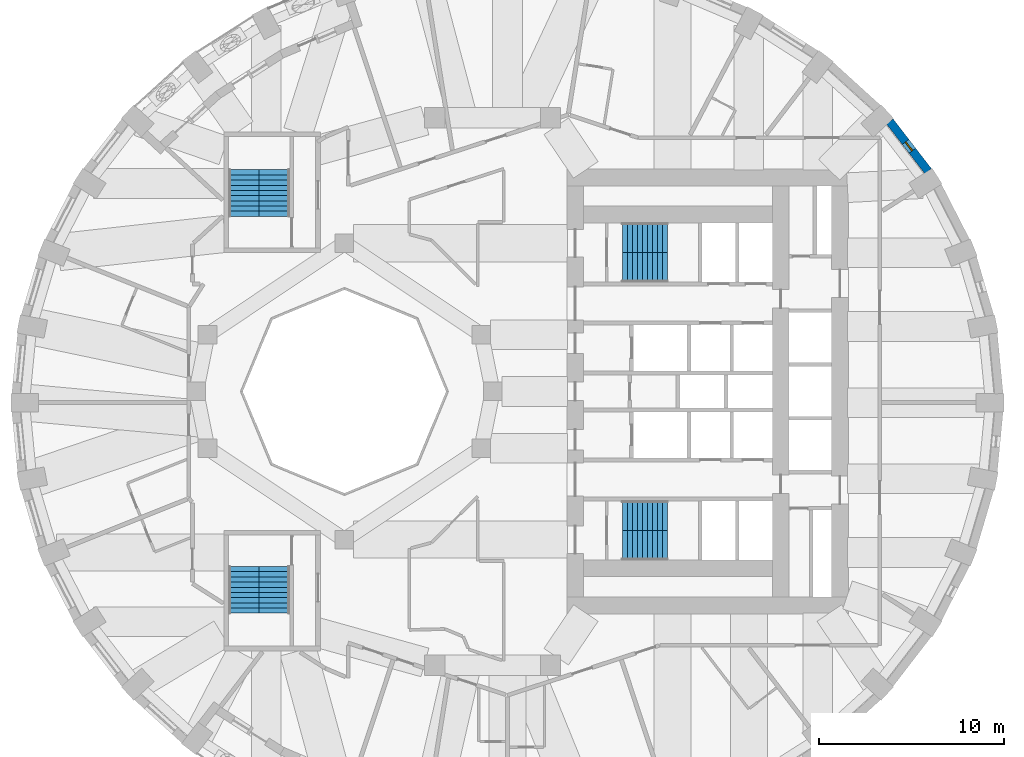
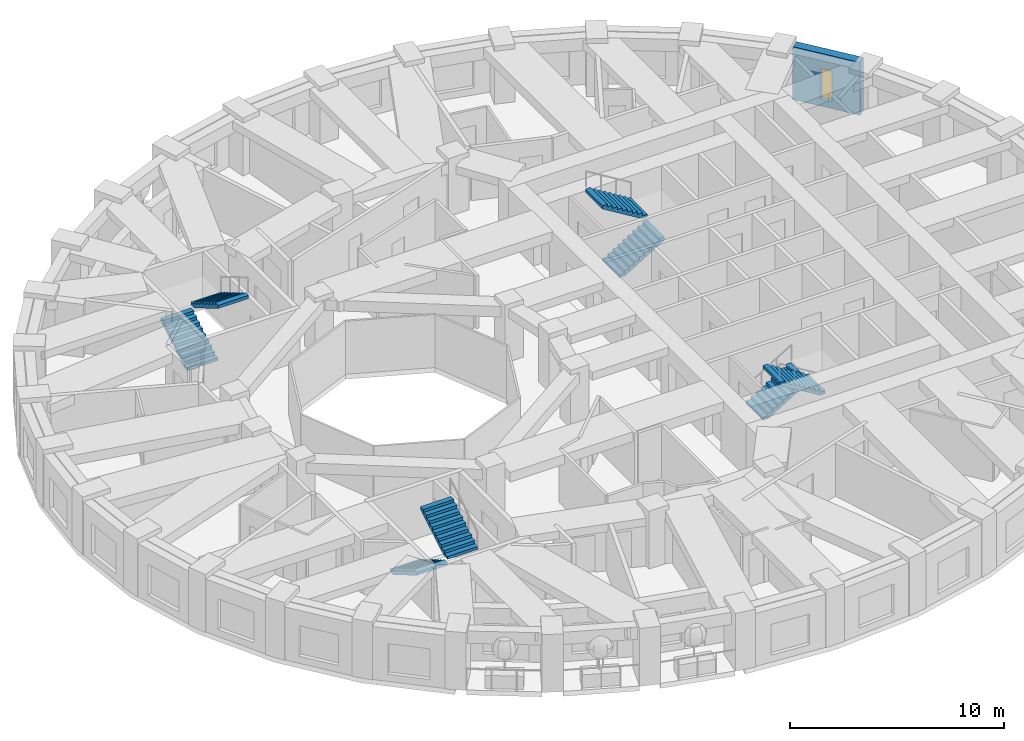
# One storey, part 9 of 12: 8 stair flights, 1 wall, 1 window, 1 opening, 4 elements without a shape of their own.
"""IFC4 building model written with IfcOpenShell, lengths in metres."""

from ifc_helpers import new_model, si_unit, direction, frame, frame_2d, origin, place, context, subcontext, project, spatial, polyline, rectangle, outline, extrude, material, layer, layer_set, type_object, element, fill, aggregate, save


model = new_model("IFC4")

# Units and contexts
model_context = context("Model", 3, precision=1e-05, world=origin(), true_north=direction((0.0, 1.0)))
body_context = subcontext(model_context, "Body", "Model", "MODEL_VIEW")
ifc_project = project(units=[si_unit("LENGTHUNIT", "METRE"), si_unit("AREAUNIT", "SQUARE_METRE"), si_unit("VOLUMEUNIT", "CUBIC_METRE"), si_unit("PLANEANGLEUNIT", "RADIAN"), si_unit("MASSUNIT", "GRAM", prefix="KILO")], contexts=[model_context])

# Site, building, storey
site_placement = place(None, origin())
site = spatial("IfcSite", under=ifc_project, at=site_placement, CompositionType="ELEMENT")
building_placement = place(site_placement, origin())
building = spatial("IfcBuilding", under=site, at=building_placement, Name="Taillehof Tower", CompositionType="ELEMENT")
storey_placement = place(building_placement, frame((0.0, 0.0, 125.199951171875)))
storey = spatial("IfcBuildingStorey", under=building, at=storey_placement, Name="L35", CompositionType="ELEMENT", Elevation=125.199951171875)

# Wall, opening, window
ifc_material_1 = material(Name="Brick masonry", Category="masonry")
ifc_layer = layer(ifc_material_1, 0.449951171875)
ifc_layer_set = layer_set([ifc_layer], Name="Brick infill wall 450")
wall_type = type_object("IfcWallType", Name="Brick infill wall 450", PredefinedType="SOLIDWALL", material=ifc_layer_set)
wall_placement = place(storey_placement, frame((23.508056640625, 11.887451171875, 0.0), z_axis=(0.0, 0.0, 1.0), x_axis=(-0.610693945156, 0.791866721961, 0.0)))
wall = element("IfcWall", 1, at=wall_placement, inside=storey, type_object=wall_type, Name="Brick wall L35 bay 4", PredefinedType="SOLIDWALL", context=body_context, shape_type="SweptSolid", body=[
    extrude(rectangle(XDim=3.39453125, YDim=0.449951171875, at=frame_2d((1.697265625, 0.0))), origin(), (0.0, 0.0, 1.0), 3.02001953125),
])
opening_placement = place(wall_placement, frame((1.397216796875, 0.0, 0.39990234375)))
opening = element("IfcOpeningElement", 2, at=opening_placement, cuts=wall, Name="Opening W6", PredefinedType="OPENING", context=body_context, shape_type="SweptSolid", body=[
    extrude(rectangle(XDim=0.60009765625, YDim=1.75, at=frame_2d((0.300048828125, 0.875))), frame((0.0, 0.23486328125, 0.0), z_axis=(0.0, -1.0, 0.0), x_axis=(1.0, 0.0, 0.0)), (0.0, 0.0, 1.0), 0.469970703125),
])
ifc_material_2 = material(Name="Aluminium window frame with clear double glazing", Category="aluminium")
window_type = type_object("IfcWindowType", Name="Slot window 600x1750", PartitioningType="SINGLE_PANEL", PredefinedType="WINDOW", material=ifc_material_2)
window_placement = place(opening_placement, origin())
window = element("IfcWindow", 3, at=window_placement, inside=storey, type_object=window_type, Name="W6", OverallHeight=1.75, OverallWidth=0.60009765625, PartitioningType="SINGLE_PANEL", PredefinedType="WINDOW", context=body_context, shape_type="SweptSolid", body=[
    extrude(rectangle(XDim=0.60009765625, YDim=1.75, at=frame_2d((0.300048828125, 0.875))), frame((0.0, 0.034912109375, 0.0), z_axis=(0.0, -1.0, 0.0), x_axis=(1.0, 0.0, 0.0)), (0.0, 0.0, 1.0), 0.06005859375),
])
fill(opening, window)

# Stair, stair flights
ifc_material_3 = material(Name="Concrete C40/50", Category="concrete")
stair_type = type_object("IfcStairType", Name="Exit stair half-turn", PredefinedType="HALF_TURN_STAIR", material=ifc_material_3)
stair_1_placement = place(storey_placement, origin())
stair_1 = element("IfcStair", 4, at=stair_1_placement, inside=storey, type_object=stair_type, Name="Exit stair S1", PredefinedType="HALF_TURN_STAIR")
ifc_material_4 = material(Name="Concrete C40/50", Category="concrete")
stair_flight_type_1 = type_object("IfcStairFlightType", Name="Stair flight 1600 riser 165.0 going 270", PredefinedType="STRAIGHT", material=ifc_material_4)
stair_flight_1_placement = place(storey_placement, frame((7.0, 6.699951171875, 0.0), z_axis=(0.0, 0.0, 1.0), x_axis=(1.0, 0.0, 0.0)))
stair_flight_1 = element("IfcStairFlight", 5, at=stair_flight_1_placement, type_object=stair_flight_type_1, Name="S1 flight 1", NumberOfRisers=10, NumberOfTreads=9, PredefinedType="STRAIGHT", RiserHeight=0.165, TreadLength=0.27, context=body_context, shape_type="SweptSolid", body=[
    extrude(outline(polyline([(0.0, 0.0), (0.0, 0.00537109375), (0.0, 0.0107421875), (0.0, 0.015869140625), (0.0, 0.021240234375), (0.0, 0.026611328125), (0.0, 0.031982421875), (0.0, 0.037353515625), (0.0, 0.04248046875), (0.0, 0.0478515625), (0.0, 0.05322265625), (0.0, 0.05859375), (0.0, 0.06396484375), (0.0, 0.069091796875), (0.0, 0.074462890625), (0.0, 0.079833984375), (0.0, 0.085205078125), (0.0, 0.090576171875), (0.0, 0.095703125), (0.0, 0.10107421875), (0.0, 0.1064453125), (0.0, 0.11181640625), (0.0, 0.1171875), (0.0, 0.122314453125), (0.0, 0.127685546875), (0.0, 0.133056640625), (0.0, 0.138427734375), (0.0, 0.143798828125), (0.0, 0.14892578125), (0.0, 0.154296875), (0.0, 0.15966796875), (0.0, 0.1650390625), (0.27001953125, 0.1650390625), (0.27001953125, 0.330078125), (0.5400390625, 0.330078125), (0.5400390625, 0.4951171875), (0.81005859375, 0.4951171875), (0.81005859375, 0.659912109375), (1.080078125, 0.659912109375), (1.080078125, 0.824951171875), (1.35009765625, 0.824951171875), (1.35009765625, 0.989990234375), (1.6201171875, 0.989990234375), (1.6201171875, 1.155029296875), (1.889892578125, 1.155029296875), (1.889892578125, 1.320068359375), (2.159912109375, 1.320068359375), (2.159912109375, 1.485107421875), (2.429931640625, 1.485107421875), (2.429931640625, 1.479248046875), (2.429931640625, 1.4736328125), (2.429931640625, 1.468017578125), (2.429931640625, 1.46240234375), (2.429931640625, 1.45654296875), (2.429931640625, 1.450927734375), (2.429931640625, 1.4453125), (2.429931640625, 1.439697265625), (2.429931640625, 1.43408203125), (2.429931640625, 1.42822265625), (2.429931640625, 1.422607421875), (2.429931640625, 1.4169921875), (2.429931640625, 1.411376953125), (2.429931640625, 1.40576171875), (2.429931640625, 1.39990234375), (2.429931640625, 1.394287109375), (2.429931640625, 1.388671875), (2.429931640625, 1.383056640625), (2.429931640625, 1.37744140625), (2.429931640625, 1.37158203125), (2.429931640625, 1.365966796875), (2.429931640625, 1.3603515625), (2.429931640625, 1.354736328125), (2.429931640625, 1.348876953125), (2.429931640625, 1.34326171875), (2.429931640625, 1.337646484375), (2.429931640625, 1.33203125), (2.429931640625, 1.326416015625), (2.429931640625, 1.320556640625), (2.429931640625, 1.31494140625), (2.429931640625, 1.309326171875), (0.287353515625, 0.0), (0.0, 0.0)])), frame((0.0, 0.800048828125, 0.0), z_axis=(0.0, -1.0, 0.0), x_axis=(1.0, 0.0, 0.0)), (0.0, 0.0, 1.0), 1.6),
])
stair_flight_2_placement = place(storey_placement, frame((9.429931640625, 8.300048828125, 1.650146484375), z_axis=(0.0, 0.0, 1.0), x_axis=(-1.0, 0.0, 0.0)))
stair_flight_2 = element("IfcStairFlight", 6, at=stair_flight_2_placement, type_object=stair_flight_type_1, Name="S1 flight 2", NumberOfRisers=10, NumberOfTreads=9, PredefinedType="STRAIGHT", RiserHeight=0.165, TreadLength=0.27, context=body_context, shape_type="SweptSolid", body=[
    extrude(outline(polyline([(0.0, 0.0), (0.0, 0.00537109375), (0.0, 0.0107421875), (0.0, 0.015869140625), (0.0, 0.021240234375), (0.0, 0.026611328125), (0.0, 0.031982421875), (0.0, 0.037353515625), (0.0, 0.04248046875), (0.0, 0.0478515625), (0.0, 0.05322265625), (0.0, 0.05859375), (0.0, 0.06396484375), (0.0, 0.069091796875), (0.0, 0.074462890625), (0.0, 0.079833984375), (0.0, 0.085205078125), (0.0, 0.090576171875), (0.0, 0.095703125), (0.0, 0.10107421875), (0.0, 0.1064453125), (0.0, 0.11181640625), (0.0, 0.1171875), (0.0, 0.122314453125), (0.0, 0.127685546875), (0.0, 0.133056640625), (0.0, 0.138427734375), (0.0, 0.143798828125), (0.0, 0.14892578125), (0.0, 0.154296875), (0.0, 0.15966796875), (0.0, 0.1650390625), (0.27001953125, 0.1650390625), (0.27001953125, 0.330078125), (0.5400390625, 0.330078125), (0.5400390625, 0.4951171875), (0.81005859375, 0.4951171875), (0.81005859375, 0.659912109375), (1.080078125, 0.659912109375), (1.080078125, 0.824951171875), (1.35009765625, 0.824951171875), (1.35009765625, 0.989990234375), (1.6201171875, 0.989990234375), (1.6201171875, 1.155029296875), (1.889892578125, 1.155029296875), (1.889892578125, 1.320068359375), (2.159912109375, 1.320068359375), (2.159912109375, 1.485107421875), (2.429931640625, 1.485107421875), (2.429931640625, 1.479248046875), (2.429931640625, 1.4736328125), (2.429931640625, 1.468017578125), (2.429931640625, 1.46240234375), (2.429931640625, 1.45654296875), (2.429931640625, 1.450927734375), (2.429931640625, 1.4453125), (2.429931640625, 1.439697265625), (2.429931640625, 1.43408203125), (2.429931640625, 1.42822265625), (2.429931640625, 1.422607421875), (2.429931640625, 1.4169921875), (2.429931640625, 1.411376953125), (2.429931640625, 1.40576171875), (2.429931640625, 1.39990234375), (2.429931640625, 1.394287109375), (2.429931640625, 1.388671875), (2.429931640625, 1.383056640625), (2.429931640625, 1.37744140625), (2.429931640625, 1.37158203125), (2.429931640625, 1.365966796875), (2.429931640625, 1.3603515625), (2.429931640625, 1.354736328125), (2.429931640625, 1.348876953125), (2.429931640625, 1.34326171875), (2.429931640625, 1.337646484375), (2.429931640625, 1.33203125), (2.429931640625, 1.326416015625), (2.429931640625, 1.320556640625), (2.429931640625, 1.31494140625), (2.429931640625, 1.309326171875), (0.287353515625, 0.0), (0.0, 0.0)])), frame((0.0, 0.800048828125, 0.0), z_axis=(0.0, -1.0, 0.0), x_axis=(1.0, 0.0, 0.0)), (0.0, 0.0, 1.0), 1.6),
])
aggregate(stair_1, [stair_flight_1, stair_flight_2])

stair_2_placement = place(storey_placement, origin())
stair_2 = element("IfcStair", 7, at=stair_2_placement, inside=storey, type_object=stair_type, Name="Exit stair S2", PredefinedType="HALF_TURN_STAIR")
stair_flight_3_placement = place(storey_placement, frame((7.0, -6.699951171875, 0.0), z_axis=(0.0, 0.0, 1.0), x_axis=(1.0, 0.0, 0.0)))
stair_flight_3 = element("IfcStairFlight", 8, at=stair_flight_3_placement, type_object=stair_flight_type_1, Name="S2 flight 1", NumberOfRisers=10, NumberOfTreads=9, PredefinedType="STRAIGHT", RiserHeight=0.165, TreadLength=0.27, context=body_context, shape_type="SweptSolid", body=[
    extrude(outline(polyline([(0.0, 0.0), (0.0, 0.00537109375), (0.0, 0.0107421875), (0.0, 0.015869140625), (0.0, 0.021240234375), (0.0, 0.026611328125), (0.0, 0.031982421875), (0.0, 0.037353515625), (0.0, 0.04248046875), (0.0, 0.0478515625), (0.0, 0.05322265625), (0.0, 0.05859375), (0.0, 0.06396484375), (0.0, 0.069091796875), (0.0, 0.074462890625), (0.0, 0.079833984375), (0.0, 0.085205078125), (0.0, 0.090576171875), (0.0, 0.095703125), (0.0, 0.10107421875), (0.0, 0.1064453125), (0.0, 0.11181640625), (0.0, 0.1171875), (0.0, 0.122314453125), (0.0, 0.127685546875), (0.0, 0.133056640625), (0.0, 0.138427734375), (0.0, 0.143798828125), (0.0, 0.14892578125), (0.0, 0.154296875), (0.0, 0.15966796875), (0.0, 0.1650390625), (0.27001953125, 0.1650390625), (0.27001953125, 0.330078125), (0.5400390625, 0.330078125), (0.5400390625, 0.4951171875), (0.81005859375, 0.4951171875), (0.81005859375, 0.659912109375), (1.080078125, 0.659912109375), (1.080078125, 0.824951171875), (1.35009765625, 0.824951171875), (1.35009765625, 0.989990234375), (1.6201171875, 0.989990234375), (1.6201171875, 1.155029296875), (1.889892578125, 1.155029296875), (1.889892578125, 1.320068359375), (2.159912109375, 1.320068359375), (2.159912109375, 1.485107421875), (2.429931640625, 1.485107421875), (2.429931640625, 1.479248046875), (2.429931640625, 1.4736328125), (2.429931640625, 1.468017578125), (2.429931640625, 1.46240234375), (2.429931640625, 1.45654296875), (2.429931640625, 1.450927734375), (2.429931640625, 1.4453125), (2.429931640625, 1.439697265625), (2.429931640625, 1.43408203125), (2.429931640625, 1.42822265625), (2.429931640625, 1.422607421875), (2.429931640625, 1.4169921875), (2.429931640625, 1.411376953125), (2.429931640625, 1.40576171875), (2.429931640625, 1.39990234375), (2.429931640625, 1.394287109375), (2.429931640625, 1.388671875), (2.429931640625, 1.383056640625), (2.429931640625, 1.37744140625), (2.429931640625, 1.37158203125), (2.429931640625, 1.365966796875), (2.429931640625, 1.3603515625), (2.429931640625, 1.354736328125), (2.429931640625, 1.348876953125), (2.429931640625, 1.34326171875), (2.429931640625, 1.337646484375), (2.429931640625, 1.33203125), (2.429931640625, 1.326416015625), (2.429931640625, 1.320556640625), (2.429931640625, 1.31494140625), (2.429931640625, 1.309326171875), (0.287353515625, 0.0), (0.0, 0.0)])), frame((0.0, 0.800048828125, 0.0), z_axis=(0.0, -1.0, 0.0), x_axis=(1.0, 0.0, 0.0)), (0.0, 0.0, 1.0), 1.6),
])
stair_flight_4_placement = place(storey_placement, frame((9.429931640625, -8.300048828125, 1.650146484375), z_axis=(0.0, 0.0, 1.0), x_axis=(-1.0, 0.0, 0.0)))
stair_flight_4 = element("IfcStairFlight", 9, at=stair_flight_4_placement, type_object=stair_flight_type_1, Name="S2 flight 2", NumberOfRisers=10, NumberOfTreads=9, PredefinedType="STRAIGHT", RiserHeight=0.165, TreadLength=0.27, context=body_context, shape_type="SweptSolid", body=[
    extrude(outline(polyline([(0.0, 0.0), (0.0, 0.00537109375), (0.0, 0.0107421875), (0.0, 0.015869140625), (0.0, 0.021240234375), (0.0, 0.026611328125), (0.0, 0.031982421875), (0.0, 0.037353515625), (0.0, 0.04248046875), (0.0, 0.0478515625), (0.0, 0.05322265625), (0.0, 0.05859375), (0.0, 0.06396484375), (0.0, 0.069091796875), (0.0, 0.074462890625), (0.0, 0.079833984375), (0.0, 0.085205078125), (0.0, 0.090576171875), (0.0, 0.095703125), (0.0, 0.10107421875), (0.0, 0.1064453125), (0.0, 0.11181640625), (0.0, 0.1171875), (0.0, 0.122314453125), (0.0, 0.127685546875), (0.0, 0.133056640625), (0.0, 0.138427734375), (0.0, 0.143798828125), (0.0, 0.14892578125), (0.0, 0.154296875), (0.0, 0.15966796875), (0.0, 0.1650390625), (0.27001953125, 0.1650390625), (0.27001953125, 0.330078125), (0.5400390625, 0.330078125), (0.5400390625, 0.4951171875), (0.81005859375, 0.4951171875), (0.81005859375, 0.659912109375), (1.080078125, 0.659912109375), (1.080078125, 0.824951171875), (1.35009765625, 0.824951171875), (1.35009765625, 0.989990234375), (1.6201171875, 0.989990234375), (1.6201171875, 1.155029296875), (1.889892578125, 1.155029296875), (1.889892578125, 1.320068359375), (2.159912109375, 1.320068359375), (2.159912109375, 1.485107421875), (2.429931640625, 1.485107421875), (2.429931640625, 1.479248046875), (2.429931640625, 1.4736328125), (2.429931640625, 1.468017578125), (2.429931640625, 1.46240234375), (2.429931640625, 1.45654296875), (2.429931640625, 1.450927734375), (2.429931640625, 1.4453125), (2.429931640625, 1.439697265625), (2.429931640625, 1.43408203125), (2.429931640625, 1.42822265625), (2.429931640625, 1.422607421875), (2.429931640625, 1.4169921875), (2.429931640625, 1.411376953125), (2.429931640625, 1.40576171875), (2.429931640625, 1.39990234375), (2.429931640625, 1.394287109375), (2.429931640625, 1.388671875), (2.429931640625, 1.383056640625), (2.429931640625, 1.37744140625), (2.429931640625, 1.37158203125), (2.429931640625, 1.365966796875), (2.429931640625, 1.3603515625), (2.429931640625, 1.354736328125), (2.429931640625, 1.348876953125), (2.429931640625, 1.34326171875), (2.429931640625, 1.337646484375), (2.429931640625, 1.33203125), (2.429931640625, 1.326416015625), (2.429931640625, 1.320556640625), (2.429931640625, 1.31494140625), (2.429931640625, 1.309326171875), (0.287353515625, 0.0), (0.0, 0.0)])), frame((0.0, 0.800048828125, 0.0), z_axis=(0.0, -1.0, 0.0), x_axis=(1.0, 0.0, 0.0)), (0.0, 0.0, 1.0), 1.6),
])
aggregate(stair_2, [stair_flight_3, stair_flight_4])

stair_3_placement = place(storey_placement, origin())
stair_3 = element("IfcStair", 10, at=stair_3_placement, inside=storey, type_object=stair_type, Name="Exit stair S3", PredefinedType="HALF_TURN_STAIR")
ifc_material_5 = material(Name="Concrete C40/50", Category="concrete")
stair_flight_type_2 = type_object("IfcStairFlightType", Name="Stair flight 1650 riser 165.0 going 280", PredefinedType="STRAIGHT", material=ifc_material_5)
stair_flight_5_placement = place(storey_placement, frame((-13.425048828125, 9.449951171875, 0.0), z_axis=(0.0, 0.0, 1.0), x_axis=(0.0, 1.0, 0.0)))
stair_flight_5 = element("IfcStairFlight", 11, at=stair_flight_5_placement, type_object=stair_flight_type_2, Name="S3 flight 1", NumberOfRisers=10, NumberOfTreads=9, PredefinedType="STRAIGHT", RiserHeight=0.165, TreadLength=0.28, context=body_context, shape_type="SweptSolid", body=[
    extrude(outline(polyline([(0.0, 0.0), (0.0, 0.00537109375), (0.0, 0.0107421875), (0.0, 0.015869140625), (0.0, 0.021240234375), (0.0, 0.026611328125), (0.0, 0.031982421875), (0.0, 0.037353515625), (0.0, 0.04248046875), (0.0, 0.0478515625), (0.0, 0.05322265625), (0.0, 0.05859375), (0.0, 0.06396484375), (0.0, 0.069091796875), (0.0, 0.074462890625), (0.0, 0.079833984375), (0.0, 0.085205078125), (0.0, 0.090576171875), (0.0, 0.095703125), (0.0, 0.10107421875), (0.0, 0.1064453125), (0.0, 0.11181640625), (0.0, 0.1171875), (0.0, 0.122314453125), (0.0, 0.127685546875), (0.0, 0.133056640625), (0.0, 0.138427734375), (0.0, 0.143798828125), (0.0, 0.14892578125), (0.0, 0.154296875), (0.0, 0.15966796875), (0.0, 0.1650390625), (0.280029296875, 0.1650390625), (0.280029296875, 0.330078125), (0.56005859375, 0.330078125), (0.56005859375, 0.4951171875), (0.840087890625, 0.4951171875), (0.840087890625, 0.659912109375), (1.1201171875, 0.659912109375), (1.1201171875, 0.824951171875), (1.39990234375, 0.824951171875), (1.39990234375, 0.989990234375), (1.679931640625, 0.989990234375), (1.679931640625, 1.155029296875), (1.9599609375, 1.155029296875), (1.9599609375, 1.320068359375), (2.239990234375, 1.320068359375), (2.239990234375, 1.485107421875), (2.52001953125, 1.485107421875), (2.52001953125, 1.4794921875), (2.52001953125, 1.473876953125), (2.52001953125, 1.46826171875), (2.52001953125, 1.462646484375), (2.52001953125, 1.45703125), (2.52001953125, 1.451416015625), (2.52001953125, 1.44580078125), (2.52001953125, 1.440185546875), (2.52001953125, 1.4345703125), (2.52001953125, 1.428955078125), (2.52001953125, 1.42333984375), (2.52001953125, 1.417724609375), (2.52001953125, 1.412109375), (2.52001953125, 1.406494140625), (2.52001953125, 1.40087890625), (2.52001953125, 1.395263671875), (2.52001953125, 1.3896484375), (2.52001953125, 1.384033203125), (2.52001953125, 1.37841796875), (2.52001953125, 1.372802734375), (2.52001953125, 1.3671875), (2.52001953125, 1.361572265625), (2.52001953125, 1.35595703125), (2.52001953125, 1.350341796875), (2.52001953125, 1.3447265625), (2.52001953125, 1.339111328125), (2.52001953125, 1.33349609375), (2.52001953125, 1.327880859375), (2.52001953125, 1.322265625), (2.52001953125, 1.316650390625), (2.52001953125, 1.31103515625), (0.295166015625, 0.0), (0.0, 0.0)])), frame((0.0, 0.824951171875, 0.0), z_axis=(0.0, -1.0, 0.0), x_axis=(1.0, 0.0, 0.0)), (0.0, 0.0, 1.0), 1.65),
])
stair_flight_6_placement = place(storey_placement, frame((-11.77490234375, 11.969970703125, 1.650146484375), z_axis=(0.0, 0.0, 1.0), x_axis=(0.0, -1.0, 0.0)))
stair_flight_6 = element("IfcStairFlight", 12, at=stair_flight_6_placement, type_object=stair_flight_type_2, Name="S3 flight 2", NumberOfRisers=10, NumberOfTreads=9, PredefinedType="STRAIGHT", RiserHeight=0.165, TreadLength=0.28, context=body_context, shape_type="SweptSolid", body=[
    extrude(outline(polyline([(0.0, 0.0), (0.0, 0.00537109375), (0.0, 0.0107421875), (0.0, 0.015869140625), (0.0, 0.021240234375), (0.0, 0.026611328125), (0.0, 0.031982421875), (0.0, 0.037353515625), (0.0, 0.04248046875), (0.0, 0.0478515625), (0.0, 0.05322265625), (0.0, 0.05859375), (0.0, 0.06396484375), (0.0, 0.069091796875), (0.0, 0.074462890625), (0.0, 0.079833984375), (0.0, 0.085205078125), (0.0, 0.090576171875), (0.0, 0.095703125), (0.0, 0.10107421875), (0.0, 0.1064453125), (0.0, 0.11181640625), (0.0, 0.1171875), (0.0, 0.122314453125), (0.0, 0.127685546875), (0.0, 0.133056640625), (0.0, 0.138427734375), (0.0, 0.143798828125), (0.0, 0.14892578125), (0.0, 0.154296875), (0.0, 0.15966796875), (0.0, 0.1650390625), (0.280029296875, 0.1650390625), (0.280029296875, 0.330078125), (0.56005859375, 0.330078125), (0.56005859375, 0.4951171875), (0.840087890625, 0.4951171875), (0.840087890625, 0.659912109375), (1.1201171875, 0.659912109375), (1.1201171875, 0.824951171875), (1.39990234375, 0.824951171875), (1.39990234375, 0.989990234375), (1.679931640625, 0.989990234375), (1.679931640625, 1.155029296875), (1.9599609375, 1.155029296875), (1.9599609375, 1.320068359375), (2.239990234375, 1.320068359375), (2.239990234375, 1.485107421875), (2.52001953125, 1.485107421875), (2.52001953125, 1.4794921875), (2.52001953125, 1.473876953125), (2.52001953125, 1.46826171875), (2.52001953125, 1.462646484375), (2.52001953125, 1.45703125), (2.52001953125, 1.451416015625), (2.52001953125, 1.44580078125), (2.52001953125, 1.440185546875), (2.52001953125, 1.4345703125), (2.52001953125, 1.428955078125), (2.52001953125, 1.42333984375), (2.52001953125, 1.417724609375), (2.52001953125, 1.412109375), (2.52001953125, 1.406494140625), (2.52001953125, 1.40087890625), (2.52001953125, 1.395263671875), (2.52001953125, 1.3896484375), (2.52001953125, 1.384033203125), (2.52001953125, 1.37841796875), (2.52001953125, 1.372802734375), (2.52001953125, 1.3671875), (2.52001953125, 1.361572265625), (2.52001953125, 1.35595703125), (2.52001953125, 1.350341796875), (2.52001953125, 1.3447265625), (2.52001953125, 1.339111328125), (2.52001953125, 1.33349609375), (2.52001953125, 1.327880859375), (2.52001953125, 1.322265625), (2.52001953125, 1.316650390625), (2.52001953125, 1.31103515625), (0.295166015625, 0.0), (0.0, 0.0)])), frame((0.0, 0.824951171875, 0.0), z_axis=(0.0, -1.0, 0.0), x_axis=(1.0, 0.0, 0.0)), (0.0, 0.0, 1.0), 1.65),
])
aggregate(stair_3, [stair_flight_5, stair_flight_6])

stair_4_placement = place(storey_placement, origin())
stair_4 = element("IfcStair", 13, at=stair_4_placement, inside=storey, type_object=stair_type, Name="Exit stair S4", PredefinedType="HALF_TURN_STAIR")
stair_flight_7_placement = place(storey_placement, frame((-13.425048828125, -9.449951171875, 0.0), z_axis=(0.0, 0.0, 1.0), x_axis=(0.0, -1.0, 0.0)))
stair_flight_7 = element("IfcStairFlight", 14, at=stair_flight_7_placement, type_object=stair_flight_type_2, Name="S4 flight 1", NumberOfRisers=10, NumberOfTreads=9, PredefinedType="STRAIGHT", RiserHeight=0.165, TreadLength=0.28, context=body_context, shape_type="SweptSolid", body=[
    extrude(outline(polyline([(0.0, 0.0), (0.0, 0.00537109375), (0.0, 0.0107421875), (0.0, 0.015869140625), (0.0, 0.021240234375), (0.0, 0.026611328125), (0.0, 0.031982421875), (0.0, 0.037353515625), (0.0, 0.04248046875), (0.0, 0.0478515625), (0.0, 0.05322265625), (0.0, 0.05859375), (0.0, 0.06396484375), (0.0, 0.069091796875), (0.0, 0.074462890625), (0.0, 0.079833984375), (0.0, 0.085205078125), (0.0, 0.090576171875), (0.0, 0.095703125), (0.0, 0.10107421875), (0.0, 0.1064453125), (0.0, 0.11181640625), (0.0, 0.1171875), (0.0, 0.122314453125), (0.0, 0.127685546875), (0.0, 0.133056640625), (0.0, 0.138427734375), (0.0, 0.143798828125), (0.0, 0.14892578125), (0.0, 0.154296875), (0.0, 0.15966796875), (0.0, 0.1650390625), (0.280029296875, 0.1650390625), (0.280029296875, 0.330078125), (0.56005859375, 0.330078125), (0.56005859375, 0.4951171875), (0.840087890625, 0.4951171875), (0.840087890625, 0.659912109375), (1.1201171875, 0.659912109375), (1.1201171875, 0.824951171875), (1.39990234375, 0.824951171875), (1.39990234375, 0.989990234375), (1.679931640625, 0.989990234375), (1.679931640625, 1.155029296875), (1.9599609375, 1.155029296875), (1.9599609375, 1.320068359375), (2.239990234375, 1.320068359375), (2.239990234375, 1.485107421875), (2.52001953125, 1.485107421875), (2.52001953125, 1.4794921875), (2.52001953125, 1.473876953125), (2.52001953125, 1.46826171875), (2.52001953125, 1.462646484375), (2.52001953125, 1.45703125), (2.52001953125, 1.451416015625), (2.52001953125, 1.44580078125), (2.52001953125, 1.440185546875), (2.52001953125, 1.4345703125), (2.52001953125, 1.428955078125), (2.52001953125, 1.42333984375), (2.52001953125, 1.417724609375), (2.52001953125, 1.412109375), (2.52001953125, 1.406494140625), (2.52001953125, 1.40087890625), (2.52001953125, 1.395263671875), (2.52001953125, 1.3896484375), (2.52001953125, 1.384033203125), (2.52001953125, 1.37841796875), (2.52001953125, 1.372802734375), (2.52001953125, 1.3671875), (2.52001953125, 1.361572265625), (2.52001953125, 1.35595703125), (2.52001953125, 1.350341796875), (2.52001953125, 1.3447265625), (2.52001953125, 1.339111328125), (2.52001953125, 1.33349609375), (2.52001953125, 1.327880859375), (2.52001953125, 1.322265625), (2.52001953125, 1.316650390625), (2.52001953125, 1.31103515625), (0.295166015625, 0.0), (0.0, 0.0)])), frame((0.0, 0.824951171875, 0.0), z_axis=(0.0, -1.0, 0.0), x_axis=(1.0, 0.0, 0.0)), (0.0, 0.0, 1.0), 1.65),
])
stair_flight_8_placement = place(storey_placement, frame((-11.77490234375, -11.969970703125, 1.650146484375), z_axis=(0.0, 0.0, 1.0), x_axis=(0.0, 1.0, 0.0)))
stair_flight_8 = element("IfcStairFlight", 15, at=stair_flight_8_placement, type_object=stair_flight_type_2, Name="S4 flight 2", NumberOfRisers=10, NumberOfTreads=9, PredefinedType="STRAIGHT", RiserHeight=0.165, TreadLength=0.28, context=body_context, shape_type="SweptSolid", body=[
    extrude(outline(polyline([(0.0, 0.0), (0.0, 0.00537109375), (0.0, 0.0107421875), (0.0, 0.015869140625), (0.0, 0.021240234375), (0.0, 0.026611328125), (0.0, 0.031982421875), (0.0, 0.037353515625), (0.0, 0.04248046875), (0.0, 0.0478515625), (0.0, 0.05322265625), (0.0, 0.05859375), (0.0, 0.06396484375), (0.0, 0.069091796875), (0.0, 0.074462890625), (0.0, 0.079833984375), (0.0, 0.085205078125), (0.0, 0.090576171875), (0.0, 0.095703125), (0.0, 0.10107421875), (0.0, 0.1064453125), (0.0, 0.11181640625), (0.0, 0.1171875), (0.0, 0.122314453125), (0.0, 0.127685546875), (0.0, 0.133056640625), (0.0, 0.138427734375), (0.0, 0.143798828125), (0.0, 0.14892578125), (0.0, 0.154296875), (0.0, 0.15966796875), (0.0, 0.1650390625), (0.280029296875, 0.1650390625), (0.280029296875, 0.330078125), (0.56005859375, 0.330078125), (0.56005859375, 0.4951171875), (0.840087890625, 0.4951171875), (0.840087890625, 0.659912109375), (1.1201171875, 0.659912109375), (1.1201171875, 0.824951171875), (1.39990234375, 0.824951171875), (1.39990234375, 0.989990234375), (1.679931640625, 0.989990234375), (1.679931640625, 1.155029296875), (1.9599609375, 1.155029296875), (1.9599609375, 1.320068359375), (2.239990234375, 1.320068359375), (2.239990234375, 1.485107421875), (2.52001953125, 1.485107421875), (2.52001953125, 1.4794921875), (2.52001953125, 1.473876953125), (2.52001953125, 1.46826171875), (2.52001953125, 1.462646484375), (2.52001953125, 1.45703125), (2.52001953125, 1.451416015625), (2.52001953125, 1.44580078125), (2.52001953125, 1.440185546875), (2.52001953125, 1.4345703125), (2.52001953125, 1.428955078125), (2.52001953125, 1.42333984375), (2.52001953125, 1.417724609375), (2.52001953125, 1.412109375), (2.52001953125, 1.406494140625), (2.52001953125, 1.40087890625), (2.52001953125, 1.395263671875), (2.52001953125, 1.3896484375), (2.52001953125, 1.384033203125), (2.52001953125, 1.37841796875), (2.52001953125, 1.372802734375), (2.52001953125, 1.3671875), (2.52001953125, 1.361572265625), (2.52001953125, 1.35595703125), (2.52001953125, 1.350341796875), (2.52001953125, 1.3447265625), (2.52001953125, 1.339111328125), (2.52001953125, 1.33349609375), (2.52001953125, 1.327880859375), (2.52001953125, 1.322265625), (2.52001953125, 1.316650390625), (2.52001953125, 1.31103515625), (0.295166015625, 0.0), (0.0, 0.0)])), frame((0.0, 0.824951171875, 0.0), z_axis=(0.0, -1.0, 0.0), x_axis=(1.0, 0.0, 0.0)), (0.0, 0.0, 1.0), 1.65),
])
aggregate(stair_4, [stair_flight_7, stair_flight_8])

save(model, "model.ifc")
